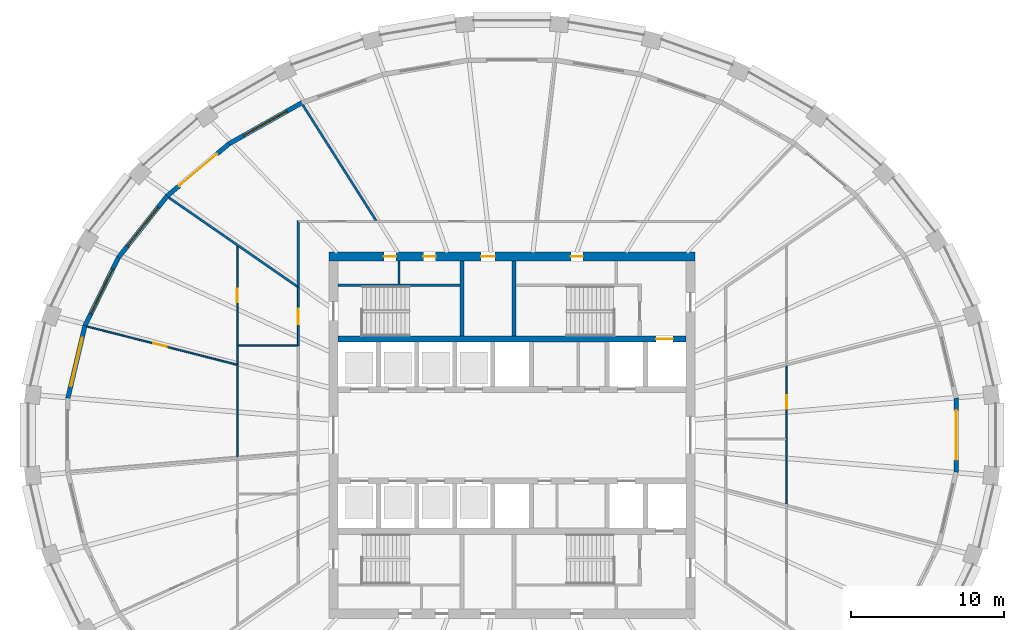
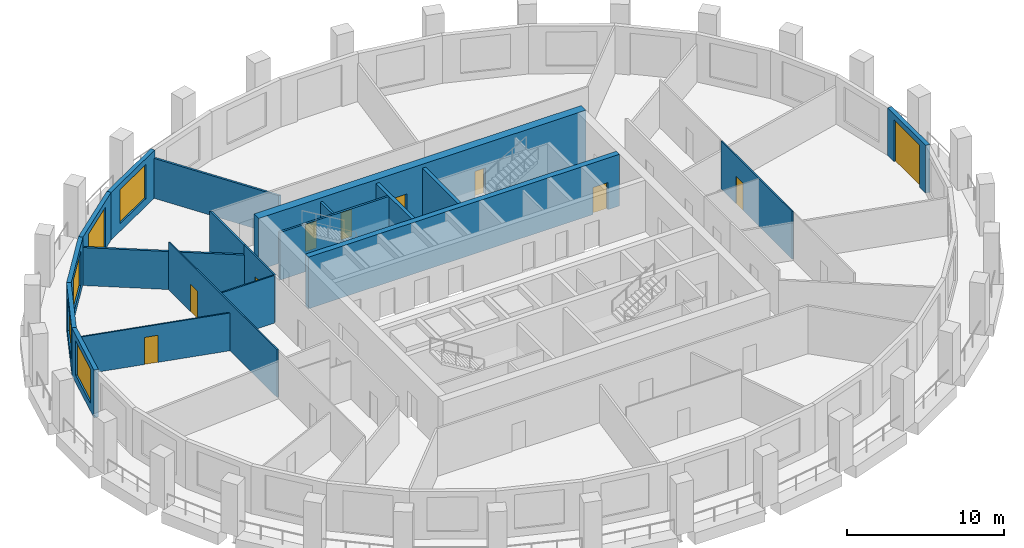
# One storey, part 6 of 11: 20 walls, 11 doors, 4 windows, 15 openings.
"""IFC4 building model written with IfcOpenShell, lengths in metres."""

from ifc_helpers import new_model, si_unit, direction, frame, frame_2d, origin, place, context, subcontext, project, spatial, polyline, rectangle, outline, extrude, material, layer, layer_set, type_object, element, fill, save


model = new_model("IFC4")

# Units and contexts
model_context = context("Model", 3, precision=1e-05, world=origin(), true_north=direction((0.0, 1.0)))
body_context = subcontext(model_context, "Body", "Model", "MODEL_VIEW")
ifc_project = project(units=[si_unit("LENGTHUNIT", "METRE"), si_unit("AREAUNIT", "SQUARE_METRE"), si_unit("VOLUMEUNIT", "CUBIC_METRE"), si_unit("PLANEANGLEUNIT", "RADIAN"), si_unit("MASSUNIT", "GRAM", prefix="KILO")], contexts=[model_context])

# Site, building, storey
site_placement = place(None, origin())
site = spatial("IfcSite", under=ifc_project, at=site_placement, CompositionType="ELEMENT")
building_placement = place(site_placement, origin())
building = spatial("IfcBuilding", under=site, at=building_placement, Name="Halqa Exchange Tower", CompositionType="ELEMENT")
storey_placement = place(building_placement, frame((0.0, 0.0, 222.89990234375)))
storey = spatial("IfcBuildingStorey", under=building, at=storey_placement, Name="L51", CompositionType="ELEMENT", Elevation=222.89990234375)

# Walls
ifc_material_1 = material(Name="Fire-rated gypsum board")
ifc_layer_1 = layer(ifc_material_1, 0.14990234375)
ifc_layer_set_1 = layer_set([ifc_layer_1], Name="Fire-rated gypsum board")
wall_type_1 = type_object("IfcWallType", Name="Fire partition EI 60 150", PredefinedType="PARTITIONING", material=ifc_layer_set_1)
wall_1_placement = place(storey_placement, frame((-22.493896484375, 15.569580078125, 0.0), z_axis=(0.0, 0.0, 1.0), x_axis=(0.822227997751, -0.569158255421, 0.0)))
element("IfcWall", 1, at=wall_1_placement, inside=storey, type_object=wall_type_1, Name="L51-PWL-002", PredefinedType="PARTITIONING", context=body_context, shape_type="SweptSolid", body=[
    extrude(outline(polyline([(0.0, -0.074951171875), (1.858154296875, -0.074951171875), (3.716552734375, -0.074951171875), (5.57470703125, -0.074951171875), (5.5771484375, -0.073486328125), (5.578125, -0.074951171875), (7.1552734375, -0.074951171875), (8.732177734375, -0.074951171875), (10.30908203125, -0.074951171875), (10.30908203125, -0.07470703125), (10.281005859375, -0.0341796875), (10.2685546875, -0.042724609375), (10.240234375, -0.001708984375), (10.240234375, -0.001708984375), (10.187255859375, 0.074951171875), (8.493408203125, 0.074951171875), (6.7998046875, 0.074951171875), (5.10595703125, 0.074951171875), (3.412109375, 0.074951171875), (1.718505859375, 0.074951171875), (0.024658203125, 0.074951171875), (0.00439453125, -0.000244140625), (0.0, -0.06640625), (0.0, -0.074951171875)])), origin(), (0.0, 0.0, 1.0), 2.947021484375),
])
wall_2_placement = place(storey_placement, frame((-14.0, 9.68994140625, 0.0), z_axis=(0.0, 0.0, 1.0), x_axis=(0.0, 1.0, 0.0)))
element("IfcWall", 2, at=wall_2_placement, inside=storey, type_object=wall_type_1, Name="L51-PWL-015", PredefinedType="PARTITIONING", context=body_context, shape_type="SweptSolid", body=[
    extrude(outline(polyline([(0.0, -0.074951171875), (1.41162109375, -0.074951171875), (2.823486328125, -0.074951171875), (4.235107421875, -0.074951171875), (4.385009765625, 0.074951171875), (2.92333984375, 0.074951171875), (1.461669921875, 0.074951171875), (0.0, 0.074951171875), (0.0, -0.074951171875)])), origin(), (0.0, 0.0, 1.0), 3.7001953125),
])
wall_3_placement = place(storey_placement, frame((-8.89208984375, 14.034912109375, 0.0), z_axis=(0.0, 0.0, 1.0), x_axis=(-0.535558051622, 0.84449841524, 0.0)))
element("IfcWall", 3, at=wall_3_placement, inside=storey, type_object=wall_type_1, Name="L51-PWL-018", PredefinedType="PARTITIONING", context=body_context, shape_type="SweptSolid", body=[
    extrude(outline(polyline([(0.0, -0.074951171875), (1.7978515625, -0.074951171875), (3.595458984375, -0.074951171875), (5.393310546875, -0.074951171875), (7.19091796875, -0.074951171875), (8.98876953125, -0.074951171875), (9.006103515625, -0.00048828125), (9.009765625, 0.069091796875), (9.009765625, 0.074951171875), (7.226806640625, 0.074951171875), (5.44384765625, 0.074951171875), (3.660888671875, 0.074951171875), (1.8779296875, 0.074951171875), (0.094970703125, 0.074951171875), (0.0, -0.074951171875), (0.0, -0.074951171875)])), origin(), (0.0, 0.0, 1.0), 3.10009765625),
])

# Wall, opening, door
ifc_material_2 = material(Name="Fire-rated glazing", Category="glass")
ifc_layer_2 = layer(ifc_material_2, 0.1201171875)
ifc_layer_set_2 = layer_set([ifc_layer_2], Name="Fire-rated glazing")
wall_type_2 = type_object("IfcWallType", Name="Glazed fire partition EI 60 120", PredefinedType="PARTITIONING", material=ifc_layer_set_2)
wall_4_placement = place(storey_placement, frame((-14.0, 5.860107421875, 0.0), z_axis=(0.0, 0.0, 1.0), x_axis=(0.0, 1.0, 0.0)))
wall_4 = element("IfcWall", 4, at=wall_4_placement, inside=storey, type_object=wall_type_2, Name="L51-PWL-014", PredefinedType="PARTITIONING", context=body_context, shape_type="SweptSolid", body=[
    extrude(rectangle(XDim=3.829833984375, YDim=0.1201171875, at=frame_2d((1.9150390625, 0.0))), origin(), (0.0, 0.0, 1.0), 3.7001953125),
])
opening_1_placement = place(wall_4_placement, frame((1.4150390625, 0.0, 0.0)))
opening_1 = element("IfcOpeningElement", 5, at=opening_1_placement, cuts=wall_4, Name="Opening 15-04", PredefinedType="OPENING", context=body_context, shape_type="SweptSolid", body=[
    extrude(rectangle(XDim=1.0, YDim=2.10009765625, at=frame_2d((0.5, 1.050048828125))), frame((0.0, 0.072021484375, 0.0), z_axis=(0.0, -1.0, 0.0), x_axis=(1.0, 0.0, 0.0)), (0.0, 0.0, 1.0), 0.14404296875),
])
ifc_material_3 = material(Name="Steel fire door leaf", Category="steel")
door_type_1 = type_object("IfcDoorType", Name="Fire door FD30S 1000 x 2100", OperationType="SINGLE_SWING_LEFT", PredefinedType="DOOR", material=ifc_material_3)
door_1_placement = place(opening_1_placement, origin())
door_1 = element("IfcDoor", 6, at=door_1_placement, inside=storey, type_object=door_type_1, Name="L51-IDR-004", OperationType="SINGLE_SWING_LEFT", OverallHeight=2.10009765625, OverallWidth=1.0, PredefinedType="DOOR", context=body_context, shape_type="SweptSolid", body=[
    extrude(rectangle(XDim=1.0, YDim=2.10009765625, at=frame_2d((0.5, 1.050048828125))), frame((0.0, 0.02490234375, 0.0), z_axis=(0.0, -1.0, 0.0), x_axis=(1.0, 0.0, 0.0)), (0.0, 0.0, 1.0), 0.050048828125),
])
fill(opening_1, door_1)

ifc_material_4 = material(Name="Gypsum board")
ifc_layer_3 = layer(ifc_material_4, 0.10009765625)
ifc_layer_set_3 = layer_set([ifc_layer_3], Name="Gypsum board")
wall_type_3 = type_object("IfcWallType", Name="Partition 100 gypsum", PredefinedType="PARTITIONING", material=ifc_layer_set_3)
wall_5_placement = place(storey_placement, frame((-18.0, -1.41845703125, 0.0), z_axis=(0.0, 0.0, 1.0), x_axis=(0.0, 1.0, 0.0)))
wall_5 = element("IfcWall", 7, at=wall_5_placement, inside=storey, type_object=wall_type_3, Name="L51-PWL-008", PredefinedType="PARTITIONING", context=body_context, shape_type="SweptSolid", body=[
    extrude(outline(polyline([(0.0078125, -0.050048828125), (1.81298828125, -0.050048828125), (3.6181640625, -0.050048828125), (5.42333984375, -0.050048828125), (7.228515625, -0.050048828125), (7.228515625, -0.050048828125), (7.328369140625, -0.050048828125), (7.328369140625, -0.050048828125), (8.934326171875, -0.050048828125), (10.5400390625, -0.050048828125), (12.145751953125, -0.050048828125), (13.75146484375, -0.050048828125), (13.820556640625, 0.0498046875), (13.820556640625, 0.050048828125), (11.888671875, 0.050048828125), (9.956787109375, 0.050048828125), (8.024658203125, 0.050048828125), (6.0927734375, 0.050048828125), (6.09228515625, 0.048095703125), (6.085205078125, 0.050048828125), (4.563720703125, 0.050048828125), (3.04248046875, 0.050048828125), (1.521240234375, 0.050048828125), (0.0, 0.050048828125), (0.0, 0.044677734375), (0.0078125, -0.050048828125)])), origin(), (0.0, 0.0, 1.0), 3.7001953125),
])
opening_2_placement = place(wall_5_placement, frame((10.12841796875, 0.0, 0.0)))
opening_2 = element("IfcOpeningElement", 8, at=opening_2_placement, cuts=wall_5, Name="Opening 15-15", PredefinedType="OPENING", context=body_context, shape_type="SweptSolid", body=[
    extrude(rectangle(XDim=0.89990234375, YDim=2.10009765625, at=frame_2d((0.449951171875, 1.050048828125))), frame((0.0, 0.06201171875, 0.0), z_axis=(0.0, -1.0, 0.0), x_axis=(1.0, 0.0, 0.0)), (0.0, 0.0, 1.0), 0.1240234375),
])
ifc_material_5 = material(Name="Timber door leaf", Category="wood")
door_type_2 = type_object("IfcDoorType", Name="Door 900 x 2100", OperationType="SINGLE_SWING_LEFT", PredefinedType="DOOR", material=ifc_material_5)
door_2_placement = place(opening_2_placement, frame((0.89990234375, 0.0, 0.0), z_axis=(0.0, 0.0, 1.0), x_axis=(-1.0, 0.0, 0.0)))
door_2 = element("IfcDoor", 9, at=door_2_placement, inside=storey, type_object=door_type_2, Name="L51-IDR-015", OperationType="SINGLE_SWING_LEFT", OverallHeight=2.10009765625, OverallWidth=0.89990234375, PredefinedType="DOOR", context=body_context, shape_type="SweptSolid", body=[
    extrude(rectangle(XDim=0.89990234375, YDim=2.10009765625, at=frame_2d((0.449951171875, 1.050048828125))), frame((0.0, 0.02490234375, 0.0), z_axis=(0.0, -1.0, 0.0), x_axis=(1.0, 0.0, 0.0)), (0.0, 0.0, 1.0), 0.050048828125),
])
fill(opening_2, door_2)

wall_6_placement = place(storey_placement, frame((-18.037841796875, 4.61962890625, 0.0), z_axis=(0.0, 0.0, 1.0), x_axis=(-0.96889210833, 0.247483499279, 0.0)))
wall_6 = element("IfcWall", 10, at=wall_6_placement, inside=storey, type_object=wall_type_3, Name="L51-PWL-009", PredefinedType="PARTITIONING", context=body_context, shape_type="SweptSolid", body=[
    extrude(outline(polyline([(0.025390625, -0.050048828125), (1.705810546875, -0.050048828125), (3.38623046875, -0.050048828125), (5.066650390625, -0.050048828125), (6.7470703125, -0.050048828125), (8.427490234375, -0.050048828125), (10.10791015625, -0.050048828125), (10.117431640625, -0.005126953125), (10.117431640625, 0.050048828125), (8.43115234375, 0.050048828125), (6.744873046875, 0.050048828125), (5.05859375, 0.050048828125), (3.37255859375, 0.050048828125), (1.686279296875, 0.050048828125), (0.0, 0.050048828125), (0.0, 0.049072265625), (0.025390625, -0.050048828125)])), origin(), (0.0, 0.0, 1.0), 2.93017578125),
])
opening_3_placement = place(wall_6_placement, frame((4.743896484375, 0.0, 0.0)))
opening_3 = element("IfcOpeningElement", 11, at=opening_3_placement, cuts=wall_6, Name="Opening 15-16", PredefinedType="OPENING", context=body_context, shape_type="SweptSolid", body=[
    extrude(rectangle(XDim=0.89990234375, YDim=2.10009765625, at=frame_2d((0.449951171875, 1.050048828125))), frame((0.0, 0.06201171875, 0.0), z_axis=(0.0, -1.0, 0.0), x_axis=(1.0, 0.0, 0.0)), (0.0, 0.0, 1.0), 0.1240234375),
])
door_3_placement = place(opening_3_placement, frame((0.89990234375, 0.0, 0.0), z_axis=(0.0, 0.0, 1.0), x_axis=(-1.0, 0.0, 0.0)))
door_3 = element("IfcDoor", 12, at=door_3_placement, inside=storey, type_object=door_type_2, Name="L51-IDR-016", OperationType="SINGLE_SWING_LEFT", OverallHeight=2.10009765625, OverallWidth=0.89990234375, PredefinedType="DOOR", context=body_context, shape_type="SweptSolid", body=[
    extrude(rectangle(XDim=0.89990234375, YDim=2.10009765625, at=frame_2d((0.449951171875, 1.050048828125))), frame((0.0, 0.02490234375, 0.0), z_axis=(0.0, -1.0, 0.0), x_axis=(1.0, 0.0, 0.0)), (0.0, 0.0, 1.0), 0.050048828125),
])
fill(opening_3, door_3)

# Wall
wall_7_placement = place(storey_placement, frame((-14.060546875, 5.860107421875, 0.0), z_axis=(0.0, 0.0, 1.0), x_axis=(-1.0, 0.0, 0.0)))
element("IfcWall", 13, at=wall_7_placement, inside=storey, type_object=wall_type_3, Name="L51-PWL-013", PredefinedType="PARTITIONING", context=body_context, shape_type="SweptSolid", body=[
    extrude(outline(polyline([(3.889404296875, 0.050048828125), (1.951904296875, 0.050048828125), (0.014404296875, 0.050048828125), (0.014404296875, 0.0), (0.0, 0.0), (0.0, -0.050048828125), (1.94482421875, -0.050048828125), (3.889404296875, -0.050048828125), (3.889404296875, 0.050048828125)])), origin(), (0.0, 0.0, 1.0), 3.7001953125),
])

# Wall, opening, door
wall_8_placement = place(storey_placement, frame((18.0, -4.534912109375, 0.0), z_axis=(0.0, 0.0, 1.0), x_axis=(0.0, 1.0, 0.0)))
wall_8 = element("IfcWall", 14, at=wall_8_placement, inside=storey, type_object=wall_type_3, Name="L51-PWL-036", PredefinedType="PARTITIONING", context=body_context, shape_type="SweptSolid", body=[
    extrude(outline(polyline([(9.079833984375, -0.050048828125), (9.079833984375, -0.04833984375), (9.059814453125, 0.02978515625), (9.079833984375, 0.034912109375), (9.079833984375, 0.036376953125), (9.050048828125, 0.02880859375), (9.044677734375, 0.050048828125), (7.471435546875, 0.050048828125), (5.898193359375, 0.050048828125), (4.324951171875, 0.050048828125), (4.324951171875, 0.050048828125), (4.224853515625, 0.050048828125), (4.224853515625, 0.050048828125), (2.824951171875, 0.050048828125), (1.425048828125, 0.050048828125), (0.025146484375, 0.050048828125), (0.0, -0.04833984375), (0.0, -0.050048828125), (1.81591796875, -0.050048828125), (3.6318359375, -0.050048828125), (5.447998046875, -0.050048828125), (7.263916015625, -0.050048828125), (9.079833984375, -0.050048828125)])), origin(), (0.0, 0.0, 1.0), 3.7001953125),
])
opening_4_placement = place(wall_8_placement, frame((6.2548828125, 0.0, 0.0)))
opening_4 = element("IfcOpeningElement", 15, at=opening_4_placement, cuts=wall_8, Name="Opening 15-21", PredefinedType="OPENING", context=body_context, shape_type="SweptSolid", body=[
    extrude(rectangle(XDim=0.89990234375, YDim=2.10009765625, at=frame_2d((0.449951171875, 1.050048828125))), frame((0.0, 0.06201171875, 0.0), z_axis=(0.0, -1.0, 0.0), x_axis=(1.0, 0.0, 0.0)), (0.0, 0.0, 1.0), 0.1240234375),
])
door_4_placement = place(opening_4_placement, origin())
door_4 = element("IfcDoor", 16, at=door_4_placement, inside=storey, type_object=door_type_2, Name="L51-IDR-021", OperationType="SINGLE_SWING_RIGHT", OverallHeight=2.10009765625, OverallWidth=0.89990234375, PredefinedType="DOOR", context=body_context, shape_type="SweptSolid", body=[
    extrude(rectangle(XDim=0.89990234375, YDim=2.10009765625, at=frame_2d((0.449951171875, 1.050048828125))), frame((0.0, 0.02490234375, 0.0), z_axis=(0.0, -1.0, 0.0), x_axis=(1.0, 0.0, 0.0)), (0.0, 0.0, 1.0), 0.050048828125),
])
fill(opening_4, door_4)

# Wall
ifc_layer_4 = layer(ifc_material_4, 0.14990234375)
ifc_layer_set_4 = layer_set([ifc_layer_4], Name="Gypsum board")
wall_type_4 = type_object("IfcWallType", Name="Penthouse riser wall 150 gypsum", PredefinedType="PARTITIONING", material=ifc_layer_set_4)
wall_9_placement = place(storey_placement, frame((-7.39990234375, 9.89990234375, 0.0), z_axis=(0.0, 0.0, 1.0), x_axis=(0.0, 1.0, 0.0)))
element("IfcWall", 17, at=wall_9_placement, inside=storey, type_object=wall_type_4, Name="Partition W7.400 N", PredefinedType="PARTITIONING", context=body_context, shape_type="SweptSolid", body=[
    extrude(rectangle(XDim=1.5, YDim=0.14990234375, at=frame_2d((0.75, 0.0))), origin(), (0.0, 0.0, 1.0), 3.7001953125),
])

# Wall, opening, door
ifc_material_6 = material(Name="Concrete C70/85", Category="concrete")
ifc_layer_5 = layer(ifc_material_6, 0.39990234375)
ifc_layer_set_5 = layer_set([ifc_layer_5], Name="Concrete C70/85")
wall_type_5 = type_object("IfcWallType", Name="RC core wall 400 C70/85", PredefinedType="SHEAR", material=ifc_layer_set_5)
wall_10_placement = place(storey_placement, frame((-11.39990234375, 6.300048828125, 0.0), z_axis=(0.0, 0.0, 1.0), x_axis=(1.0, 0.0, 0.0)))
wall_10 = element("IfcWall", 18, at=wall_10_placement, inside=storey, type_object=wall_type_5, Name="Lift row back wall N", PredefinedType="SHEAR", context=body_context, shape_type="SweptSolid", body=[
    extrude(rectangle(XDim=22.7998046875, YDim=0.39990234375, at=frame_2d((11.39990234375, 0.0))), origin(), (0.0, 0.0, 1.0), 4.0),
])
opening_5_placement = place(wall_10_placement, frame((20.85009765625, 0.0, 0.0)))
opening_5 = element("IfcOpeningElement", 19, at=opening_5_placement, cuts=wall_10, Name="Opening LD-FF1-T15", PredefinedType="OPENING", context=body_context, shape_type="SweptSolid", body=[
    extrude(rectangle(XDim=1.10009765625, YDim=2.10009765625, at=frame_2d((0.550048828125, 1.050048828125))), frame((0.0, 0.2119140625, 0.0), z_axis=(0.0, -1.0, 0.0), x_axis=(1.0, 0.0, 0.0)), (0.0, 0.0, 1.0), 0.423828125),
])
ifc_material_7 = material(Name="Stainless steel", Category="steel")
door_type_3 = type_object("IfcDoorType", Name="Lift landing door 1100 x 2100", OperationType="SLIDING_TO_LEFT", PredefinedType="DOOR", material=ifc_material_7)
door_5_placement = place(opening_5_placement, origin())
door_5 = element("IfcDoor", 20, at=door_5_placement, inside=storey, type_object=door_type_3, Name="Lift landing door FF1", OperationType="SLIDING_TO_LEFT", OverallHeight=2.10009765625, OverallWidth=1.10009765625, PredefinedType="DOOR", context=body_context, shape_type="SweptSolid", body=[
    extrude(rectangle(XDim=1.10009765625, YDim=2.10009765625, at=frame_2d((0.550048828125, 1.050048828125))), frame((0.0, 0.02490234375, 0.0), z_axis=(0.0, -1.0, 0.0), x_axis=(1.0, 0.0, 0.0)), (0.0, 0.0, 1.0), 0.050048828125),
])
fill(opening_5, door_5)

# Wall, openings, doors
ifc_layer_6 = layer(ifc_material_6, 0.60009765625)
ifc_layer_set_6 = layer_set([ifc_layer_6], Name="Concrete C70/85")
wall_type_6 = type_object("IfcWallType", Name="RC core wall 600 C70/85", PredefinedType="SHEAR", material=ifc_layer_set_6)
wall_11_placement = place(storey_placement, frame((-12.0, 11.699951171875, 0.0), z_axis=(0.0, 0.0, 1.0), x_axis=(1.0, 0.0, 0.0)))
wall_11 = element("IfcWall", 21, at=wall_11_placement, inside=storey, type_object=wall_type_6, Name="Core wall north", PredefinedType="SHEAR", context=body_context, shape_type="SweptSolid", body=[
    extrude(rectangle(XDim=24.0, YDim=0.60009765625, at=frame_2d((12.0, 0.0))), origin(), (0.0, 0.0, 1.0), 4.0),
])
opening_6_placement = place(wall_11_placement, frame((9.97509765625, 0.0, 0.0)))
opening_6 = element("IfcOpeningElement", 22, at=opening_6_placement, cuts=wall_11, Name="Opening T15-C21", PredefinedType="OPENING", context=body_context, shape_type="SweptSolid", body=[
    extrude(rectangle(XDim=0.89990234375, YDim=2.10009765625, at=frame_2d((0.449951171875, 1.050048828125))), frame((0.0, 0.31201171875, 0.0), z_axis=(0.0, -1.0, 0.0), x_axis=(1.0, 0.0, 0.0)), (0.0, 0.0, 1.0), 0.6240234375),
])
opening_7_placement = place(wall_11_placement, frame((3.60009765625, 0.0, 0.0)))
opening_7 = element("IfcOpeningElement", 23, at=opening_7_placement, cuts=wall_11, Name="Opening T15-C22", PredefinedType="OPENING", context=body_context, shape_type="SweptSolid", body=[
    extrude(rectangle(XDim=0.800048828125, YDim=2.10009765625, at=frame_2d((0.39990234375, 1.050048828125))), frame((0.0, 0.31201171875, 0.0), z_axis=(0.0, -1.0, 0.0), x_axis=(1.0, 0.0, 0.0)), (0.0, 0.0, 1.0), 0.6240234375),
])
opening_8_placement = place(wall_11_placement, frame((6.199951171875, 0.0, 0.0)))
opening_8 = element("IfcOpeningElement", 24, at=opening_8_placement, cuts=wall_11, Name="Opening T15-C23", PredefinedType="OPENING", context=body_context, shape_type="SweptSolid", body=[
    extrude(rectangle(XDim=0.800048828125, YDim=2.10009765625, at=frame_2d((0.39990234375, 1.050048828125))), frame((0.0, 0.31201171875, 0.0), z_axis=(0.0, -1.0, 0.0), x_axis=(1.0, 0.0, 0.0)), (0.0, 0.0, 1.0), 0.6240234375),
])
opening_9_placement = place(wall_11_placement, frame((15.85009765625, 0.0, 0.0)))
opening_9 = element("IfcOpeningElement", 25, at=opening_9_placement, cuts=wall_11, Name="Opening T15-C24", PredefinedType="OPENING", context=body_context, shape_type="SweptSolid", body=[
    extrude(rectangle(XDim=0.800048828125, YDim=2.10009765625, at=frame_2d((0.39990234375, 1.050048828125))), frame((0.0, 0.31201171875, 0.0), z_axis=(0.0, -1.0, 0.0), x_axis=(1.0, 0.0, 0.0)), (0.0, 0.0, 1.0), 0.6240234375),
])
ifc_material_8 = material(Name="Timber fire door leaf", Category="wood")
door_type_4 = type_object("IfcDoorType", Name="Core room door FD30 900 x 2100", OperationType="SINGLE_SWING_LEFT", PredefinedType="DOOR", material=ifc_material_8)
door_6_placement = place(opening_6_placement, frame((0.89990234375, 0.0, 0.0), z_axis=(0.0, 0.0, 1.0), x_axis=(-1.0, 0.0, 0.0)))
door_6 = element("IfcDoor", 26, at=door_6_placement, inside=storey, type_object=door_type_4, Name="Core room door", OperationType="SINGLE_SWING_RIGHT", OverallHeight=2.10009765625, OverallWidth=0.89990234375, PredefinedType="DOOR", context=body_context, shape_type="SweptSolid", body=[
    extrude(rectangle(XDim=0.89990234375, YDim=2.10009765625, at=frame_2d((0.449951171875, 1.050048828125))), frame((0.0, 0.02490234375, 0.0), z_axis=(0.0, -1.0, 0.0), x_axis=(1.0, 0.0, 0.0)), (0.0, 0.0, 1.0), 0.050048828125),
])
fill(opening_6, door_6)
door_type_5 = type_object("IfcDoorType", Name="Riser door FD60 800 x 2100", OperationType="SINGLE_SWING_LEFT", PredefinedType="DOOR", material=ifc_material_3)
door_7_placement = place(opening_7_placement, frame((0.800048828125, 0.0, 0.0), z_axis=(0.0, 0.0, 1.0), x_axis=(-1.0, 0.0, 0.0)))
door_7 = element("IfcDoor", 27, at=door_7_placement, inside=storey, type_object=door_type_5, Name="Core room door", OperationType="SINGLE_SWING_RIGHT", OverallHeight=2.10009765625, OverallWidth=0.800048828125, PredefinedType="DOOR", context=body_context, shape_type="SweptSolid", body=[
    extrude(rectangle(XDim=0.800048828125, YDim=2.10009765625, at=frame_2d((0.39990234375, 1.050048828125))), frame((0.0, 0.02490234375, 0.0), z_axis=(0.0, -1.0, 0.0), x_axis=(1.0, 0.0, 0.0)), (0.0, 0.0, 1.0), 0.050048828125),
])
fill(opening_7, door_7)
door_8_placement = place(opening_8_placement, frame((0.800048828125, 0.0, 0.0), z_axis=(0.0, 0.0, 1.0), x_axis=(-1.0, 0.0, 0.0)))
door_8 = element("IfcDoor", 28, at=door_8_placement, inside=storey, type_object=door_type_5, Name="Core room door", OperationType="SINGLE_SWING_RIGHT", OverallHeight=2.10009765625, OverallWidth=0.800048828125, PredefinedType="DOOR", context=body_context, shape_type="SweptSolid", body=[
    extrude(rectangle(XDim=0.800048828125, YDim=2.10009765625, at=frame_2d((0.39990234375, 1.050048828125))), frame((0.0, 0.02490234375, 0.0), z_axis=(0.0, -1.0, 0.0), x_axis=(1.0, 0.0, 0.0)), (0.0, 0.0, 1.0), 0.050048828125),
])
fill(opening_8, door_8)
door_9_placement = place(opening_9_placement, frame((0.800048828125, 0.0, 0.0), z_axis=(0.0, 0.0, 1.0), x_axis=(-1.0, 0.0, 0.0)))
door_9 = element("IfcDoor", 29, at=door_9_placement, inside=storey, type_object=door_type_5, Name="Core room door", OperationType="SINGLE_SWING_RIGHT", OverallHeight=2.10009765625, OverallWidth=0.800048828125, PredefinedType="DOOR", context=body_context, shape_type="SweptSolid", body=[
    extrude(rectangle(XDim=0.800048828125, YDim=2.10009765625, at=frame_2d((0.39990234375, 1.050048828125))), frame((0.0, 0.02490234375, 0.0), z_axis=(0.0, -1.0, 0.0), x_axis=(1.0, 0.0, 0.0)), (0.0, 0.0, 1.0), 0.050048828125),
])
fill(opening_9, door_9)

# Walls
ifc_material_9 = material(Name="Concrete C30/37", Category="concrete")
ifc_layer_7 = layer(ifc_material_9, 0.14990234375)
ifc_layer_set_7 = layer_set([ifc_layer_7], Name="Concrete C30/37")
wall_type_7 = type_object("IfcWallType", Name="RC stair wall 150 C30/37", PredefinedType="SHEAR", material=ifc_layer_set_7)
wall_12_placement = place(storey_placement, frame((-11.39990234375, 9.824951171875, 0.0), z_axis=(0.0, 0.0, 1.0), x_axis=(1.0, 0.0, 0.0)))
element("IfcWall", 30, at=wall_12_placement, inside=storey, type_object=wall_type_7, Name="Stair ST1 north wall N", PredefinedType="SHEAR", context=body_context, shape_type="SweptSolid", body=[
    extrude(rectangle(XDim=8.0, YDim=0.14990234375, at=frame_2d((4.0, 0.0))), origin(), (0.0, 0.0, 1.0), 3.7001953125),
])
ifc_layer_8 = layer(ifc_material_9, 0.25)
ifc_layer_set_8 = layer_set([ifc_layer_8], Name="Concrete C30/37")
wall_type_8 = type_object("IfcWallType", Name="RC stair wall 250 C30/37", PredefinedType="SHEAR", material=ifc_layer_set_8)
for number, where, z_axis, x_axis, name in (
    (31, (-3.27490234375, 6.5, 0.0), (0.0, 0.0, 1.0), (0.0, 1.0, 0.0), "Stair ST1 east wall N"),
    (32, (0.125, 6.5, 0.0), (0.0, 0.0, 1.0), (0.0, 1.0, 0.0), "Stair ST2 west wall N"),
):
    element("IfcWall", number, at=place(storey_placement, frame(where, z_axis=z_axis, x_axis=x_axis)), inside=storey, type_object=wall_type_8, Name=name, PredefinedType="SHEAR", context=body_context, shape_type="SweptSolid", body=[
        extrude(rectangle(XDim=4.89990234375, YDim=0.25, at=frame_2d((2.449951171875, 0.0))), origin(), (0.0, 0.0, 1.0), 3.7001953125),
    ])

# Wall, opening, window
ifc_material_10 = material(Name="Limestone cladding", Category="masonry")
ifc_layer_9 = layer(ifc_material_10, 0.0400390625)
ifc_material_11 = material(Name="Ventilated cavity")
ifc_layer_10 = layer(ifc_material_11, 0.030029296875, ventilated=True)
ifc_material_12 = material(Name="Mineral wool insulation")
ifc_layer_11 = layer(ifc_material_12, 0.10009765625)
ifc_layer_12 = layer(ifc_material_9, 0.10009765625)
ifc_material_13 = material(Name="Internal plaster")
ifc_layer_13 = layer(ifc_material_13, 0.030029296875)
ifc_layer_set_9 = layer_set([ifc_layer_9, ifc_layer_10, ifc_layer_11, ifc_layer_12, ifc_layer_13], Name="Stone-faced insulated wall 300")
wall_type_9 = type_object("IfcWallType", Name="Stone-faced insulated wall 300", PredefinedType="STANDARD", material=ifc_layer_set_9)
wall_13_placement = place(storey_placement, frame((-13.777099609375, 21.778076171875, 0.0), z_axis=(0.0, 0.0, 1.0), x_axis=(-0.871207038577, -0.490915772749, 0.0)))
wall_13 = element("IfcWall", 33, at=wall_13_placement, inside=storey, type_object=wall_type_9, Name="Glass-line wall 11", PredefinedType="STANDARD", context=body_context, shape_type="SweptSolid", body=[
    extrude(outline(polyline([(-0.013427734375, -0.14990234375), (5.485107421875, -0.14990234375), (5.456787109375, 0.14990234375), (0.013427734375, 0.14990234375), (-0.013427734375, -0.14990234375)])), origin(), (0.0, 0.0, 1.0), 3.7001953125),
])
opening_10_placement = place(wall_13_placement, frame((1.110595703125, 0.0, 0.60009765625)))
opening_10 = element("IfcOpeningElement", 34, at=opening_10_placement, cuts=wall_13, Name="Opening W-F3-11", PredefinedType="OPENING", context=body_context, shape_type="SweptSolid", body=[
    extrude(rectangle(XDim=3.25, YDim=2.64990234375, at=frame_2d((1.625, 1.324951171875))), frame((0.0, 0.162109375, 0.0), z_axis=(0.0, -1.0, 0.0), x_axis=(1.0, 0.0, 0.0)), (0.0, 0.0, 1.0), 0.323974609375),
])
ifc_material_14 = material(Name="Clear low-emissivity glass in aluminium frame", Category="aluminium")
window_type = type_object("IfcWindowType", Name="Fixed clear glazed window 3250 x 2650", PartitioningType="TRIPLE_PANEL_VERTICAL", PredefinedType="WINDOW", material=ifc_material_14)
window_1_placement = place(opening_10_placement, origin())
window_1 = element("IfcWindow", 35, at=window_1_placement, inside=storey, type_object=window_type, Name="Window 3", OverallHeight=2.64990234375, OverallWidth=3.25, PartitioningType="TRIPLE_PANEL_VERTICAL", PredefinedType="WINDOW", context=body_context, shape_type="SweptSolid", body=[
    extrude(rectangle(XDim=3.25, YDim=2.64990234375, at=frame_2d((1.625, 1.324951171875))), frame((0.0, 0.030029296875, 0.0), z_axis=(0.0, -1.0, 0.0), x_axis=(1.0, 0.0, 0.0)), (0.0, 0.0, 1.0), 0.06005859375),
])
fill(opening_10, window_1)

# Wall, opening, door
wall_14_placement = place(storey_placement, frame((-18.54345703125, 19.09228515625, 0.0), z_axis=(0.0, 0.0, 1.0), x_axis=(-0.764397795062, -0.644744919255, 0.0)))
wall_14 = element("IfcWall", 36, at=wall_14_placement, inside=storey, type_object=wall_type_9, Name="Glass-line wall 12", PredefinedType="STANDARD", context=body_context, shape_type="SweptSolid", body=[
    extrude(outline(polyline([(-0.01416015625, -0.14990234375), (5.3203125, -0.14990234375), (5.2900390625, 0.14990234375), (0.01416015625, 0.14990234375), (-0.01416015625, -0.14990234375)])), origin(), (0.0, 0.0, 1.0), 3.7001953125),
])
opening_11_placement = place(wall_14_placement, frame((1.027587890625, 0.0, 0.0)))
opening_11 = element("IfcOpeningElement", 37, at=opening_11_placement, cuts=wall_14, Name="Opening LG-F3-03", PredefinedType="OPENING", context=body_context, shape_type="SweptSolid", body=[
    extrude(rectangle(XDim=3.25, YDim=3.25, at=frame_2d((1.625, 1.625))), frame((0.0, 0.162109375, 0.0), z_axis=(0.0, -1.0, 0.0), x_axis=(1.0, 0.0, 0.0)), (0.0, 0.0, 1.0), 0.323974609375),
])
door_type_6 = type_object("IfcDoorType", Name="Glazed sliding loggia door 3250 x 3250", OperationType="DOUBLE_DOOR_SLIDING", PredefinedType="DOOR", material=ifc_material_14)
door_10_placement = place(opening_11_placement, origin())
door_10 = element("IfcDoor", 38, at=door_10_placement, inside=storey, type_object=door_type_6, Name="Loggia door 3", OperationType="DOUBLE_DOOR_SLIDING", OverallHeight=3.25, OverallWidth=3.25, PredefinedType="DOOR", context=body_context, shape_type="SweptSolid", body=[
    extrude(rectangle(XDim=3.25, YDim=3.25, at=frame_2d((1.625, 1.625))), frame((0.0, 0.02490234375, 0.0), z_axis=(0.0, -1.0, 0.0), x_axis=(1.0, 0.0, 0.0)), (0.0, 0.0, 1.0), 0.050048828125),
])
fill(opening_11, door_10)

# Wall, opening, window
wall_15_placement = place(storey_placement, frame((-22.5986328125, 15.671875, 0.0), z_axis=(0.0, 0.0, 1.0), x_axis=(-0.621017151557, -0.783796974651, 0.0)))
wall_15 = element("IfcWall", 39, at=wall_15_placement, inside=storey, type_object=wall_type_9, Name="Glass-line wall 13", PredefinedType="STANDARD", context=body_context, shape_type="SweptSolid", body=[
    extrude(outline(polyline([(-0.01513671875, -0.14990234375), (5.14990234375, -0.14990234375), (5.11767578125, 0.14990234375), (0.01513671875, 0.14990234375), (-0.01513671875, -0.14990234375)])), origin(), (0.0, 0.0, 1.0), 3.7001953125),
])
opening_12_placement = place(wall_15_placement, frame((0.94189453125, 0.0, 0.60009765625)))
opening_12 = element("IfcOpeningElement", 40, at=opening_12_placement, cuts=wall_15, Name="Opening W-F3-13", PredefinedType="OPENING", context=body_context, shape_type="SweptSolid", body=[
    extrude(rectangle(XDim=3.25, YDim=2.64990234375, at=frame_2d((1.625, 1.324951171875))), frame((0.0, 0.162109375, 0.0), z_axis=(0.0, -1.0, 0.0), x_axis=(1.0, 0.0, 0.0)), (0.0, 0.0, 1.0), 0.323974609375),
])
window_2_placement = place(opening_12_placement, origin())
window_2 = element("IfcWindow", 41, at=window_2_placement, inside=storey, type_object=window_type, Name="Window 3", OverallHeight=2.64990234375, OverallWidth=3.25, PartitioningType="TRIPLE_PANEL_VERTICAL", PredefinedType="WINDOW", context=body_context, shape_type="SweptSolid", body=[
    extrude(rectangle(XDim=3.25, YDim=2.64990234375, at=frame_2d((1.625, 1.324951171875))), frame((0.0, 0.030029296875, 0.0), z_axis=(0.0, -1.0, 0.0), x_axis=(1.0, 0.0, 0.0)), (0.0, 0.0, 1.0), 0.06005859375),
])
fill(opening_12, window_2)

wall_16_placement = place(storey_placement, frame((-25.786865234375, 11.64794921875, 0.0), z_axis=(0.0, 0.0, 1.0), x_axis=(-0.440795186599, -0.897607711348, 0.0)))
wall_16 = element("IfcWall", 42, at=wall_16_placement, inside=storey, type_object=wall_type_9, Name="Glass-line wall 14", PredefinedType="STANDARD", context=body_context, shape_type="SweptSolid", body=[
    extrude(outline(polyline([(-0.01611328125, -0.14990234375), (5.0009765625, -0.14990234375), (4.96728515625, 0.14990234375), (0.01611328125, 0.14990234375), (-0.01611328125, -0.14990234375)])), origin(), (0.0, 0.0, 1.0), 3.7001953125),
])
opening_13_placement = place(wall_16_placement, frame((0.8671875, 0.0, 0.60009765625)))
opening_13 = element("IfcOpeningElement", 43, at=opening_13_placement, cuts=wall_16, Name="Opening W-F3-14", PredefinedType="OPENING", context=body_context, shape_type="SweptSolid", body=[
    extrude(rectangle(XDim=3.25, YDim=2.64990234375, at=frame_2d((1.625, 1.324951171875))), frame((0.0, 0.162109375, 0.0), z_axis=(0.0, -1.0, 0.0), x_axis=(1.0, 0.0, 0.0)), (0.0, 0.0, 1.0), 0.323974609375),
])
window_3_placement = place(opening_13_placement, origin())
window_3 = element("IfcWindow", 44, at=window_3_placement, inside=storey, type_object=window_type, Name="Window 3", OverallHeight=2.64990234375, OverallWidth=3.25, PartitioningType="TRIPLE_PANEL_VERTICAL", PredefinedType="WINDOW", context=body_context, shape_type="SweptSolid", body=[
    extrude(rectangle(XDim=3.25, YDim=2.64990234375, at=frame_2d((1.625, 1.324951171875))), frame((0.0, 0.030029296875, 0.0), z_axis=(0.0, -1.0, 0.0), x_axis=(1.0, 0.0, 0.0)), (0.0, 0.0, 1.0), 0.06005859375),
])
fill(opening_13, window_3)

wall_17_placement = place(storey_placement, frame((-27.98388671875, 7.174072265625, 0.0), z_axis=(0.0, 0.0, 1.0), x_axis=(-0.229546618766, -0.97329766763, 0.0)))
wall_17 = element("IfcWall", 45, at=wall_17_placement, inside=storey, type_object=wall_type_9, Name="Glass-line wall 15", PredefinedType="STANDARD", context=body_context, shape_type="SweptSolid", body=[
    extrude(outline(polyline([(-0.016845703125, -0.14990234375), (4.899169921875, -0.14990234375), (4.864501953125, 0.14990234375), (0.016845703125, 0.14990234375), (-0.016845703125, -0.14990234375)])), origin(), (0.0, 0.0, 1.0), 3.7001953125),
])
opening_14_placement = place(wall_17_placement, frame((0.81591796875, 0.0, 0.60009765625)))
opening_14 = element("IfcOpeningElement", 46, at=opening_14_placement, cuts=wall_17, Name="Opening W-F3-15", PredefinedType="OPENING", context=body_context, shape_type="SweptSolid", body=[
    extrude(rectangle(XDim=3.25, YDim=2.64990234375, at=frame_2d((1.625, 1.324951171875))), frame((0.0, 0.162109375, 0.0), z_axis=(0.0, -1.0, 0.0), x_axis=(1.0, 0.0, 0.0)), (0.0, 0.0, 1.0), 0.323974609375),
])
window_4_placement = place(opening_14_placement, origin())
window_4 = element("IfcWindow", 47, at=window_4_placement, inside=storey, type_object=window_type, Name="Window 3", OverallHeight=2.64990234375, OverallWidth=3.25, PartitioningType="TRIPLE_PANEL_VERTICAL", PredefinedType="WINDOW", context=body_context, shape_type="SweptSolid", body=[
    extrude(rectangle(XDim=3.25, YDim=2.64990234375, at=frame_2d((1.625, 1.324951171875))), frame((0.0, 0.030029296875, 0.0), z_axis=(0.0, -1.0, 0.0), x_axis=(1.0, 0.0, 0.0)), (0.0, 0.0, 1.0), 0.06005859375),
])
fill(opening_14, window_4)

# Wall, opening, door
wall_18_placement = place(storey_placement, frame((29.1044921875, -2.422607421875, 0.0), z_axis=(0.0, 0.0, 1.0), x_axis=(0.0, 1.0, 0.0)))
wall_18 = element("IfcWall", 48, at=wall_18_placement, inside=storey, type_object=wall_type_9, Name="Glass-line wall 32", PredefinedType="STANDARD", context=body_context, shape_type="SweptSolid", body=[
    extrude(outline(polyline([(-0.017333984375, -0.14990234375), (4.862548828125, -0.14990234375), (4.827880859375, 0.14990234375), (0.017333984375, 0.14990234375), (-0.017333984375, -0.14990234375)])), origin(), (0.0, 0.0, 1.0), 3.7001953125),
])
opening_15_placement = place(wall_18_placement, frame((0.797607421875, 0.0, 0.0)))
opening_15 = element("IfcOpeningElement", 49, at=opening_15_placement, cuts=wall_18, Name="Opening LG-F3-08", PredefinedType="OPENING", context=body_context, shape_type="SweptSolid", body=[
    extrude(rectangle(XDim=3.25, YDim=3.25, at=frame_2d((1.625, 1.625))), frame((0.0, 0.162109375, 0.0), z_axis=(0.0, -1.0, 0.0), x_axis=(1.0, 0.0, 0.0)), (0.0, 0.0, 1.0), 0.323974609375),
])
door_11_placement = place(opening_15_placement, origin())
door_11 = element("IfcDoor", 50, at=door_11_placement, inside=storey, type_object=door_type_6, Name="Loggia door 8", OperationType="DOUBLE_DOOR_SLIDING", OverallHeight=3.25, OverallWidth=3.25, PredefinedType="DOOR", context=body_context, shape_type="SweptSolid", body=[
    extrude(rectangle(XDim=3.25, YDim=3.25, at=frame_2d((1.625, 1.625))), frame((0.0, 0.02490234375, 0.0), z_axis=(0.0, -1.0, 0.0), x_axis=(1.0, 0.0, 0.0)), (0.0, 0.0, 1.0), 0.050048828125),
])
fill(opening_15, door_11)

save(model, "model.ifc")
